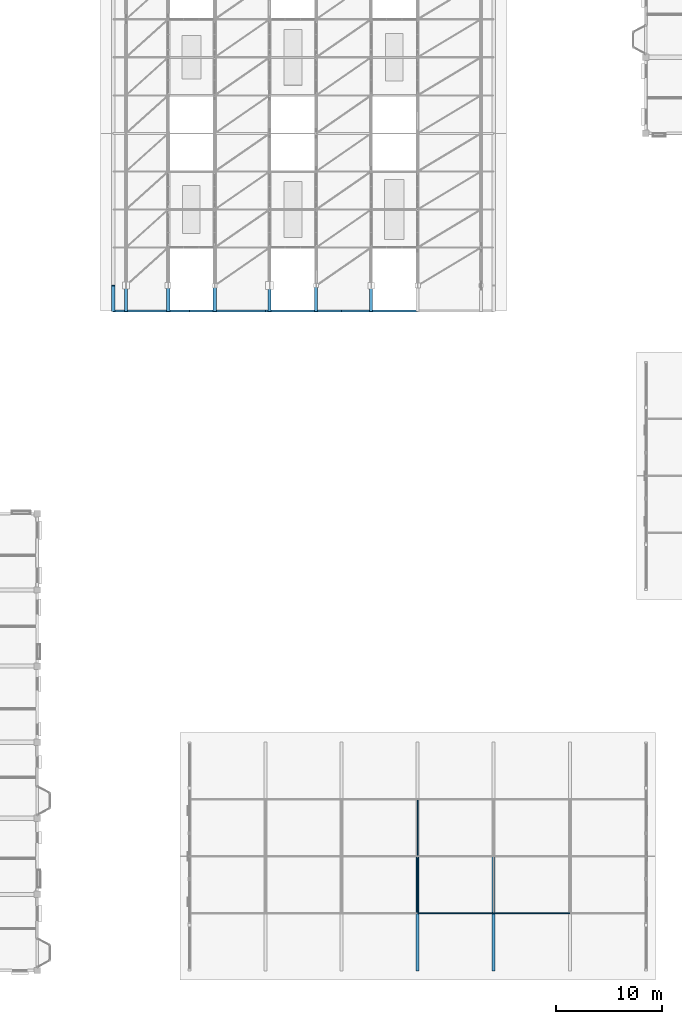
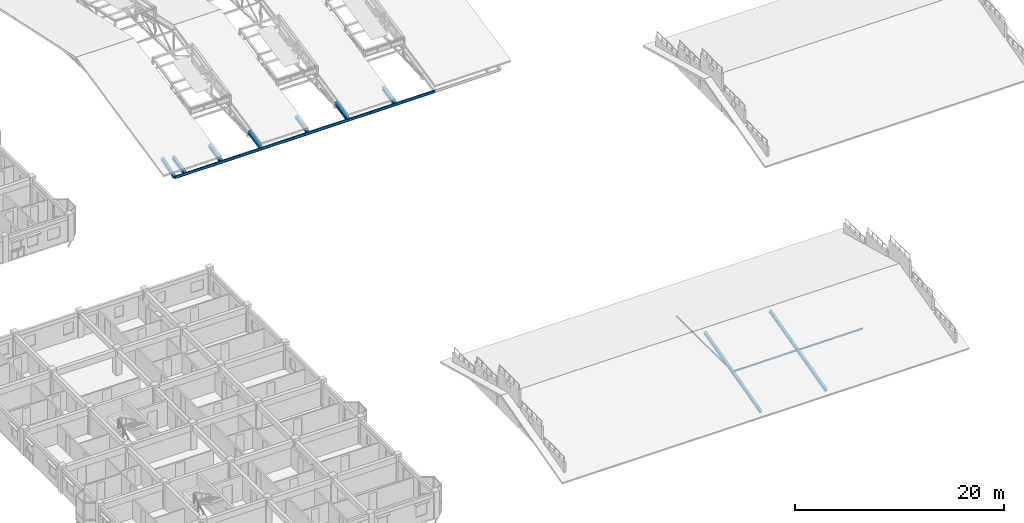
# One storey, part 20 of 124: 12 members, 4 beams.
"""IFC4 building model written with IfcOpenShell, lengths in metres."""

from ifc_helpers import new_model, si_unit, direction, frame, origin, origin_2d, place, context, subcontext, project, spatial, hollow_rectangle, i_section, extrude, material, material_profile, profile_set, type_object, element, save


model = new_model("IFC4")

# Units and contexts
model_context = context("Model", 3, precision=1e-05, world=origin(), true_north=direction((0.0, 1.0)))
body_context = subcontext(model_context, "Body", "Model", "MODEL_VIEW")
ifc_project = project(units=[si_unit("LENGTHUNIT", "METRE"), si_unit("AREAUNIT", "SQUARE_METRE"), si_unit("VOLUMEUNIT", "CUBIC_METRE"), si_unit("PLANEANGLEUNIT", "RADIAN"), si_unit("MASSUNIT", "GRAM", prefix="KILO"), si_unit("THERMODYNAMICTEMPERATUREUNIT", "KELVIN"), si_unit("POWERUNIT", "WATT")], contexts=[model_context])

# Site, building, storey
site_placement = place(None, origin())
site = spatial("IfcSite", under=ifc_project, at=site_placement, CompositionType="ELEMENT")
building_placement = place(site_placement, origin())
building = spatial("IfcBuilding", under=site, at=building_placement, Name="Tavuni Mirador Residences", CompositionType="ELEMENT")
storey_placement = place(building_placement, frame((0.0, 0.0, 7.64990234375)))
storey = spatial("IfcBuildingStorey", under=building, at=storey_placement, Name="L02", CompositionType="ELEMENT", Elevation=7.64990234375)

# Beams
ifc_material = material(Name="Structural steel S355", Category="steel")
ifc_material_profile_1 = material_profile(ifc_material, i_section(OverallWidth=0.14990234375, OverallDepth=0.300048828125, WebThickness=0.007080078125, FlangeThickness=0.0107421875, FilletRadius=0.014892578125, at=origin_2d()), Name="IPE 300", Category="steel")
ifc_profile_set_1 = profile_set([ifc_material_profile_1], Name="Structural steel S355")
beam_type = type_object("IfcBeamType", Name="BT-ST-IPE300", PredefinedType="BEAM", material=ifc_profile_set_1)
for number, where, z_axis, x_axis, name in (
    (1, (39.60009765625, 69.60009765625, -0.6865234375), (1.0, 0.0, 0.0), (0.0, 1.0, 0.0), "HALL-ERING-S-00"),
    (2, (46.800048828125, 69.60009765625, -0.6865234375), (1.0, 0.0, 0.0), (0.0, 1.0, 0.0), "HALL-ERING-S-01"),
    (3, (54.0, 69.60009765625, -0.6865234375), (1.0, 0.0, 0.0), (0.0, 1.0, 0.0), "HALL-ERING-S-02"),
    (4, (61.199951171875, 69.60009765625, -0.6865234375), (1.0, 0.0, 0.0), (0.0, 1.0, 0.0), "HALL-ERING-S-03"),
):
    element("IfcBeam", number, at=place(storey_placement, frame(where, z_axis=z_axis, x_axis=x_axis)), inside=storey, type_object=beam_type, Name=name, PredefinedType="BEAM", context=body_context, shape_type="SweptSolid", body=[
        extrude(i_section(OverallWidth=0.14990234375, OverallDepth=0.300048828125, WebThickness=0.007080078125, FlangeThickness=0.0107421875, FilletRadius=0.014892578125, at=origin_2d()), origin(), (0.0, 0.0, 1.0), 7.199951171875),
    ])

# Members
ifc_material_profile_2 = material_profile(ifc_material, hollow_rectangle(XDim=0.10009765625, YDim=0.14990234375, WallThickness=0.008056640625, at=origin_2d()), Name="RHS 150x100x8.0", Category="steel")
ifc_profile_set_2 = profile_set([ifc_material_profile_2], Name="Structural steel S355")
member_type_1 = type_object("IfcMemberType", Name="MT-BR-RHS150", PredefinedType="BRACE", material=ifc_profile_set_2)
member_1_placement = place(storey_placement, frame((68.39990234375, 12.60009765625, 1.050048828125), z_axis=(0.0, 1.0, 0.0), x_axis=(-1.0, 0.0, 0.0)))
element("IfcMember", 5, at=member_1_placement, inside=storey, type_object=member_type_1, Name="RTIE-PAV-SHOP-03", PredefinedType="BRACE", context=body_context, shape_type="SweptSolid", body=[
    extrude(hollow_rectangle(XDim=0.10009765625, YDim=0.14990234375, WallThickness=0.008056640625, at=origin_2d()), origin(), (0.0, 0.0, 1.0), 10.7998046875),
])
ifc_material_profile_3 = material_profile(ifc_material, i_section(OverallWidth=0.280029296875, OverallDepth=0.27001953125, WebThickness=0.008056640625, FlangeThickness=0.012939453125, FilletRadius=0.02392578125, at=origin_2d()), Name="HEA 280", Category="steel")
ifc_profile_set_3 = profile_set([ifc_material_profile_3], Name="Structural steel S355")
member_type_2 = type_object("IfcMemberType", Name="MT-CH-HEA280", PredefinedType="CHORD", material=ifc_profile_set_3)
for number, where, z_axis, x_axis, name in (
    (6, (68.39990234375, 7.199951171875, -0.349853515625), (0.0, 0.967996110632, 0.250965196393), (-1.0, 0.0, 0.0), "RAF-PAV-SHOP-03-S"),
    (7, (75.60009765625, 7.199951171875, -0.349853515625), (0.0, 0.967996110632, 0.250965196393), (-1.0, 0.0, 0.0), "RAF-PAV-SHOP-04-S"),
):
    element("IfcMember", number, at=place(storey_placement, frame(where, z_axis=z_axis, x_axis=x_axis)), inside=storey, type_object=member_type_2, Name=name, PredefinedType="CHORD", context=body_context, shape_type="SweptSolid", body=[
        extrude(i_section(OverallWidth=0.280029296875, OverallDepth=0.27001953125, WebThickness=0.008056640625, FlangeThickness=0.012939453125, FilletRadius=0.02392578125, at=origin_2d()), origin(), (0.0, 0.0, 1.0), 11.1572265625),
    ])
ifc_material_profile_4 = material_profile(ifc_material, i_section(OverallWidth=0.300048828125, OverallDepth=0.2900390625, WebThickness=0.008544921875, FlangeThickness=0.013916015625, FilletRadius=0.027099609375, at=origin_2d()), Name="HEA 300", Category="steel")
ifc_profile_set_4 = profile_set([ifc_material_profile_4], Name="Structural steel S355")
member_type_3 = type_object("IfcMemberType", Name="MT-CH-HEA300", PredefinedType="CHORD", material=ifc_profile_set_4)
member_2_placement = place(storey_placement, frame((39.60009765625, 69.60009765625, -0.6865234375), z_axis=(0.0, 0.950827717429, 0.309720279879), x_axis=(-1.0, 0.0, 0.0)))
element("IfcMember", 8, at=member_2_placement, inside=storey, type_object=member_type_3, Name="HALL-GAB-W-ES", PredefinedType="CHORD", context=body_context, shape_type="SweptSolid", body=[
    extrude(i_section(OverallWidth=0.300048828125, OverallDepth=0.2900390625, WebThickness=0.008544921875, FlangeThickness=0.013916015625, FilletRadius=0.027099609375, at=origin_2d()), origin(), (0.0, 0.0, 1.0), 2.52392578125),
])
ifc_material_profile_5 = material_profile(ifc_material, i_section(OverallWidth=0.300048828125, OverallDepth=0.389892578125, WebThickness=0.010986328125, FlangeThickness=0.01904296875, FilletRadius=0.027099609375, at=origin_2d()), Name="HEA 400", Category="steel")
ifc_profile_set_5 = profile_set([ifc_material_profile_5], Name="Structural steel S355")
member_type_4 = type_object("IfcMemberType", Name="MT-CH-HEA400", PredefinedType="CHORD", material=ifc_profile_set_5)
for number, where, z_axis, x_axis, name in (
    (9, (58.800048828125, 69.60009765625, -0.6865234375), (0.0, 0.977606968822, 0.210439099291), (-1.0, 0.0, 0.0), "Roof truss TR-5 south eave chord"),
    (10, (64.0, 69.60009765625, -0.6865234375), (0.0, 0.977606968822, 0.210439099291), (-1.0, 0.0, 0.0), "Roof truss TR-6 south eave chord"),
):
    element("IfcMember", number, at=place(storey_placement, frame(where, z_axis=z_axis, x_axis=x_axis)), inside=storey, type_object=member_type_4, Name=name, PredefinedType="CHORD", context=body_context, shape_type="SweptSolid", body=[
        extrude(i_section(OverallWidth=0.300048828125, OverallDepth=0.389892578125, WebThickness=0.010986328125, FlangeThickness=0.01904296875, FilletRadius=0.027099609375, at=origin_2d()), origin(), (0.0, 0.0, 1.0), 2.454833984375),
    ])
ifc_material_profile_6 = material_profile(ifc_material, i_section(OverallWidth=0.300048828125, OverallDepth=0.320068359375, WebThickness=0.011474609375, FlangeThickness=0.0205078125, FilletRadius=0.027099609375, at=origin_2d()), Name="HEB 320", Category="steel")
ifc_profile_set_6 = profile_set([ifc_material_profile_6], Name="Structural steel S355")
member_type_5 = type_object("IfcMemberType", Name="MT-CH-HEB320", PredefinedType="CHORD", material=ifc_profile_set_6)
for number, where, z_axis, x_axis, name in (
    (11, (49.199951171875, 69.60009765625, -0.6865234375), (0.0, 0.977606968822, 0.210439099291), (-1.0, 0.0, 0.0), "Roof truss TR-3 south eave chord"),
    (12, (54.39990234375, 69.60009765625, -0.6865234375), (0.0, 0.977606968822, 0.210439099291), (-1.0, 0.0, 0.0), "Roof truss TR-4 south eave chord"),
):
    element("IfcMember", number, at=place(storey_placement, frame(where, z_axis=z_axis, x_axis=x_axis)), inside=storey, type_object=member_type_5, Name=name, PredefinedType="CHORD", context=body_context, shape_type="SweptSolid", body=[
        extrude(i_section(OverallWidth=0.300048828125, OverallDepth=0.320068359375, WebThickness=0.011474609375, FlangeThickness=0.0205078125, FilletRadius=0.027099609375, at=origin_2d()), origin(), (0.0, 0.0, 1.0), 2.454833984375),
    ])
ifc_material_profile_7 = material_profile(ifc_material, i_section(OverallWidth=0.300048828125, OverallDepth=0.360107421875, WebThickness=0.012451171875, FlangeThickness=0.0224609375, FilletRadius=0.027099609375, at=origin_2d()), Name="HEB 360", Category="steel")
ifc_profile_set_7 = profile_set([ifc_material_profile_7], Name="Structural steel S355")
member_type_6 = type_object("IfcMemberType", Name="MT-CH-HEB360", PredefinedType="CHORD", material=ifc_profile_set_7)
for number, where, z_axis, x_axis, name in (
    (13, (40.800048828125, 69.60009765625, -0.6865234375), (0.0, 0.977606968822, 0.210439099291), (-1.0, 0.0, 0.0), "Roof truss TR-1 south eave chord"),
    (14, (44.800048828125, 69.60009765625, -0.6865234375), (0.0, 0.977606968822, 0.210439099291), (-1.0, 0.0, 0.0), "Roof truss TR-2 south eave chord"),
):
    element("IfcMember", number, at=place(storey_placement, frame(where, z_axis=z_axis, x_axis=x_axis)), inside=storey, type_object=member_type_6, Name=name, PredefinedType="CHORD", context=body_context, shape_type="SweptSolid", body=[
        extrude(i_section(OverallWidth=0.300048828125, OverallDepth=0.360107421875, WebThickness=0.012451171875, FlangeThickness=0.0224609375, FilletRadius=0.027099609375, at=origin_2d()), origin(), (0.0, 0.0, 1.0), 2.454833984375),
    ])
ifc_material_profile_8 = material_profile(ifc_material, i_section(OverallWidth=0.091064453125, OverallDepth=0.179931640625, WebThickness=0.00537109375, FlangeThickness=0.008056640625, FilletRadius=0.009033203125, at=origin_2d()), Name="IPE 180", Category="steel")
ifc_profile_set_8 = profile_set([ifc_material_profile_8], Name="Structural steel S355")
member_type_7 = type_object("IfcMemberType", Name="MT-PR-IPE180", PredefinedType="PURLIN", material=ifc_profile_set_8)
member_3_placement = place(storey_placement, frame((68.39990234375, 12.60009765625, 1.114990234375), z_axis=(1.0, 0.0, 0.0), x_axis=(0.0, 1.0, 0.0)))
element("IfcMember", 15, at=member_3_placement, inside=storey, type_object=member_type_7, Name="RPUR-PAV-SHOP-25-03", PredefinedType="PURLIN", context=body_context, shape_type="SweptSolid", body=[
    extrude(i_section(OverallWidth=0.091064453125, OverallDepth=0.179931640625, WebThickness=0.00537109375, FlangeThickness=0.008056640625, FilletRadius=0.009033203125, at=origin_2d()), origin(), (0.0, 0.0, 1.0), 7.2001953125),
])
member_4_placement = place(storey_placement, frame((75.60009765625, 12.60009765625, 1.114990234375), z_axis=(1.0, 0.0, 0.0), x_axis=(0.0, 1.0, 0.0)))
element("IfcMember", 16, at=member_4_placement, inside=storey, type_object=member_type_7, Name="RPUR-PAV-SHOP-25-04", PredefinedType="PURLIN", context=body_context, shape_type="SweptSolid", body=[
    extrude(i_section(OverallWidth=0.091064453125, OverallDepth=0.179931640625, WebThickness=0.00537109375, FlangeThickness=0.008056640625, FilletRadius=0.009033203125, at=origin_2d()), origin(), (0.0, 0.0, 1.0), 7.199951171875),
])

save(model, "model.ifc")
